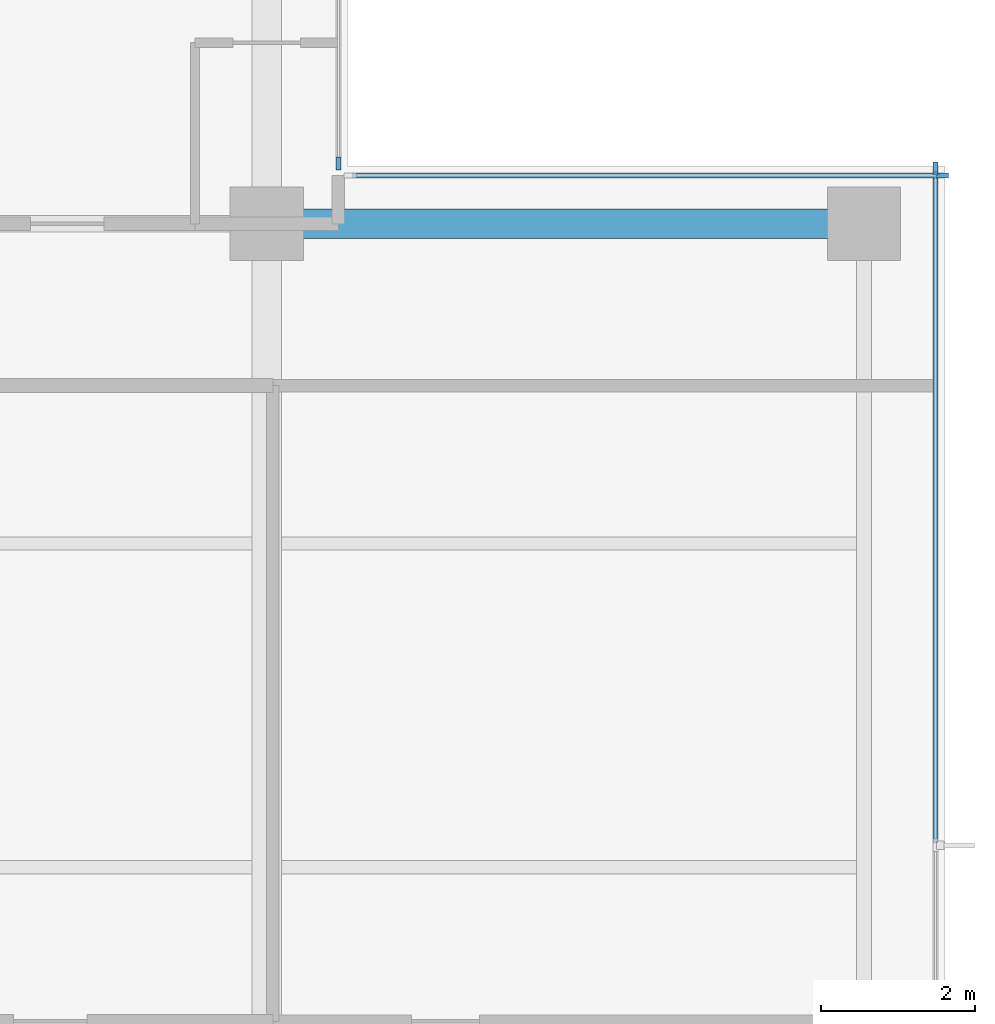
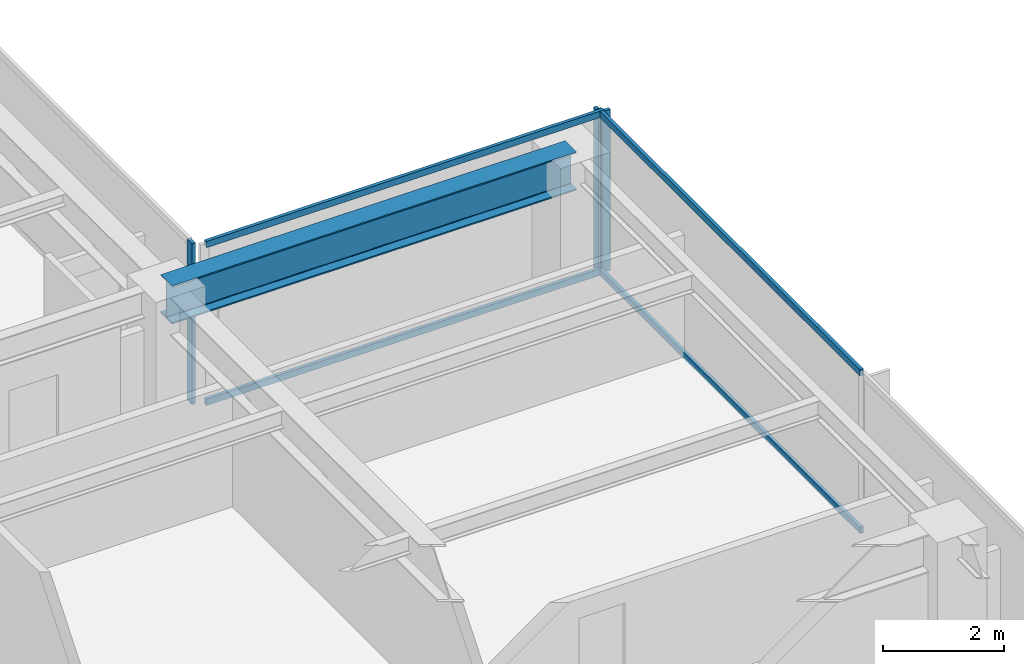
# One storey, part 4 of 14: 7 members, 1 beam, 3 elements without a shape of their own.
"""IFC4 building model written with IfcOpenShell, lengths in metres."""

from ifc_helpers import new_model, si_unit, direction, frame, origin, origin_2d, place, context, subcontext, project, spatial, rectangle, i_section, extrude, material, layer, layer_set, material_profile, profile_set, type_object, element, aggregate, save


model = new_model("IFC4")

# Units and contexts
model_context = context("Model", 3, precision=1e-05, world=origin(), true_north=direction((0.0, 1.0)))
body_context = subcontext(model_context, "Body", "Model", "MODEL_VIEW")
ifc_project = project(units=[si_unit("LENGTHUNIT", "METRE"), si_unit("AREAUNIT", "SQUARE_METRE"), si_unit("VOLUMEUNIT", "CUBIC_METRE"), si_unit("PLANEANGLEUNIT", "RADIAN"), si_unit("MASSUNIT", "GRAM", prefix="KILO")], contexts=[model_context])

# Site, building, storey
site_placement = place(None, origin())
site = spatial("IfcSite", under=ifc_project, at=site_placement, CompositionType="ELEMENT")
building_placement = place(site_placement, origin())
building = spatial("IfcBuilding", under=site, at=building_placement, Name="Qalmaran Belvedere Hotel", CompositionType="ELEMENT")
storey_placement = place(building_placement, frame((0.0, 0.0, 200.39990234375)))
storey = spatial("IfcBuildingStorey", under=building, at=storey_placement, Name="L50", CompositionType="ELEMENT", Elevation=200.39990234375)

# Beam
ifc_material_1 = material(Name="Steel S355JR", Category="steel")
ifc_material_profile_1 = material_profile(ifc_material_1, i_section(OverallWidth=0.381103515625, OverallDepth=0.77294921875, WebThickness=0.0166015625, FlangeThickness=0.027099609375, FilletRadius=0.02197265625, at=origin_2d()), Name="W760X257")
ifc_profile_set_1 = profile_set([ifc_material_profile_1], Name="Steel S355JR")
beam_type = type_object("IfcBeamType", Name="BM-PG4-W760X257", PredefinedType="USERDEFINED", material=ifc_profile_set_1)
beam_placement = place(storey_placement, frame((44.800048828125, 33.0, 2.87353515625), z_axis=(1.0, 0.0, 0.0), x_axis=(0.0, 1.0, 0.0)))
element("IfcBeam", 1, at=beam_placement, inside=storey, type_object=beam_type, Name="L50 East Wing Girder 27", ObjectType="GIRDER", PredefinedType="USERDEFINED", context=body_context, shape_type="SweptSolid", body=[
    extrude(i_section(OverallWidth=0.381103515625, OverallDepth=0.77294921875, WebThickness=0.0166015625, FlangeThickness=0.027099609375, FilletRadius=0.02197265625, at=origin_2d()), origin(), (0.0, 0.0, 1.0), 7.75),
])

# Curtain wall, member
ifc_material_2 = material(Name="Anodised Bronze Aluminium", Category="aluminium")
ifc_layer = layer(ifc_material_2, 0.18994140625, Name="Anodised Bronze Aluminium")
ifc_layer_set = layer_set([ifc_layer], Name="Anodised Bronze Aluminium")
curtain_wall_type = type_object("IfcCurtainWallType", Name="CW5-TOWER-UPPER", PredefinedType="NOTDEFINED", material=ifc_layer_set)
curtain_wall_1_placement = place(storey_placement, origin())
curtain_wall_1 = element("IfcCurtainWall", 2, at=curtain_wall_1_placement, inside=storey, type_object=curtain_wall_type, Name="L50 Curtain Wall CW5", PredefinedType="NOTDEFINED")
ifc_material_profile_2 = material_profile(ifc_material_2, rectangle(XDim=0.06494140625, YDim=0.1650390625, at=origin_2d()), Name="CWM65X165")
ifc_profile_set_2 = profile_set([ifc_material_profile_2], Name="Anodised Bronze Aluminium")
member_type_1 = type_object("IfcMemberType", Name="CWM-65X165", PredefinedType="MULLION", material=ifc_profile_set_2)
member_1_placement = place(storey_placement, frame((53.47998046875, 33.717529296875, 0.0), z_axis=(0.0, 0.0, 1.0), x_axis=(-1.0, 0.0, 0.0)))
member_1 = element("IfcMember", 3, at=member_1_placement, type_object=member_type_1, Name="CW5 mullion 4", PredefinedType="MULLION", context=body_context, shape_type="SweptSolid", body=[
    extrude(rectangle(XDim=0.06494140625, YDim=0.1650390625, at=origin_2d()), origin(), (0.0, 0.0, 1.0), 3.260009765625),
])

curtain_wall_2_placement = place(storey_placement, origin())
curtain_wall_2 = element("IfcCurtainWall", 4, at=curtain_wall_2_placement, inside=storey, type_object=curtain_wall_type, Name="L50 Curtain Wall CW5", PredefinedType="NOTDEFINED")
member_2_placement = place(storey_placement, frame((53.5673828125, 33.6298828125, 0.0), z_axis=(0.0, 0.0, 1.0), x_axis=(0.0, -1.0, 0.0)))
member_2 = element("IfcMember", 5, at=member_2_placement, type_object=member_type_1, Name="CW5 mullion 1", PredefinedType="MULLION", context=body_context, shape_type="SweptSolid", body=[
    extrude(rectangle(XDim=0.06494140625, YDim=0.1650390625, at=origin_2d()), origin(), (0.0, 0.0, 1.0), 3.260009765625),
])

curtain_wall_3_placement = place(storey_placement, origin())
curtain_wall_3 = element("IfcCurtainWall", 6, at=curtain_wall_3_placement, inside=storey, type_object=curtain_wall_type, Name="L50 Curtain Wall CW5", PredefinedType="NOTDEFINED")
member_3_placement = place(storey_placement, frame((45.72998046875, 33.782470703125, 0.0), z_axis=(0.0, 0.0, 1.0), x_axis=(-1.0, 0.0, 0.0)))
member_3 = element("IfcMember", 7, at=member_3_placement, type_object=member_type_1, Name="CW5 mullion 1", PredefinedType="MULLION", context=body_context, shape_type="SweptSolid", body=[
    extrude(rectangle(XDim=0.06494140625, YDim=0.1650390625, at=origin_2d()), origin(), (0.0, 0.0, 1.0), 3.260009765625),
])
aggregate(curtain_wall_3, [member_3])

# Member
ifc_material_profile_3 = material_profile(ifc_material_2, rectangle(XDim=0.06494140625, YDim=0.1298828125, at=origin_2d()), Name="CWT65X130")
ifc_profile_set_3 = profile_set([ifc_material_profile_3], Name="Anodised Bronze Aluminium")
member_type_2 = type_object("IfcMemberType", Name="CWT-65X130", PredefinedType="USERDEFINED", material=ifc_profile_set_3)
member_4_placement = place(storey_placement, frame((53.47998046875, 24.9658203125, 0.03271484375), z_axis=(0.0, 1.0, 0.0), x_axis=(-1.0, 0.0, 0.0)))
member_4 = element("IfcMember", 8, at=member_4_placement, type_object=member_type_2, Name="CW5 transom 3.1", ObjectType="TRANSOM", PredefinedType="USERDEFINED", context=body_context, shape_type="SweptSolid", body=[
    extrude(rectangle(XDim=0.06494140625, YDim=0.1298828125, at=origin_2d()), origin(), (0.0, 0.0, 1.0), 8.71923828125),
])

member_5_placement = place(storey_placement, frame((53.47998046875, 24.9658203125, 3.2275390625), z_axis=(0.0, 1.0, 0.0), x_axis=(-1.0, 0.0, 0.0)))
member_5 = element("IfcMember", 9, at=member_5_placement, type_object=member_type_2, Name="CW5 transom 3.2", ObjectType="TRANSOM", PredefinedType="USERDEFINED", context=body_context, shape_type="SweptSolid", body=[
    extrude(rectangle(XDim=0.06494140625, YDim=0.1298828125, at=origin_2d()), origin(), (0.0, 0.0, 1.0), 8.71923828125),
])

aggregate(curtain_wall_1, [member_1, member_4, member_5])

member_6_placement = place(storey_placement, frame((53.534912109375, 33.6298828125, 0.03271484375), z_axis=(-1.0, 0.0, 0.0), x_axis=(0.0, -1.0, 0.0)))
member_6 = element("IfcMember", 10, at=member_6_placement, type_object=member_type_2, Name="CW5 transom 1.1", ObjectType="TRANSOM", PredefinedType="USERDEFINED", context=body_context, shape_type="SweptSolid", body=[
    extrude(rectangle(XDim=0.06494140625, YDim=0.1298828125, at=origin_2d()), origin(), (0.0, 0.0, 1.0), 7.619873046875),
])

member_7_placement = place(storey_placement, frame((53.534912109375, 33.6298828125, 3.2275390625), z_axis=(-1.0, 0.0, 0.0), x_axis=(0.0, -1.0, 0.0)))
member_7 = element("IfcMember", 11, at=member_7_placement, type_object=member_type_2, Name="CW5 transom 1.2", ObjectType="TRANSOM", PredefinedType="USERDEFINED", context=body_context, shape_type="SweptSolid", body=[
    extrude(rectangle(XDim=0.06494140625, YDim=0.1298828125, at=origin_2d()), origin(), (0.0, 0.0, 1.0), 7.619873046875),
])

aggregate(curtain_wall_2, [member_2, member_6, member_7])

save(model, "model.ifc")
